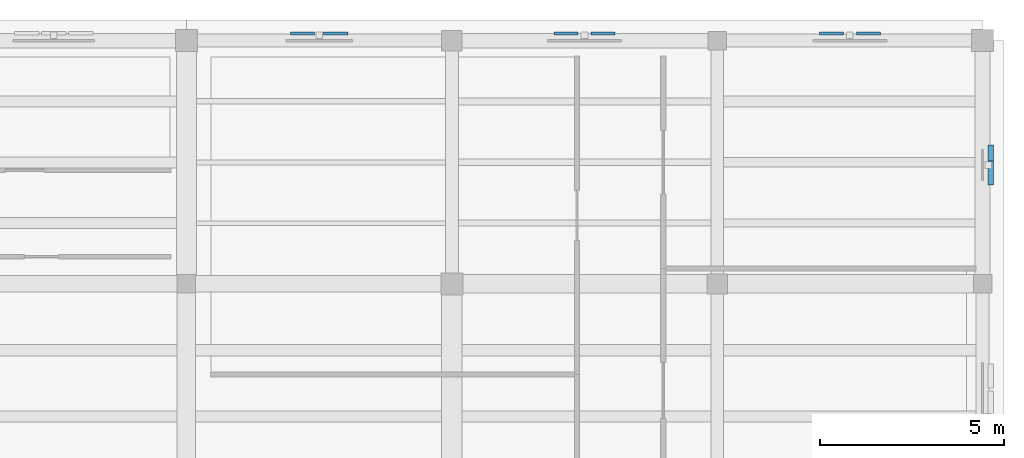
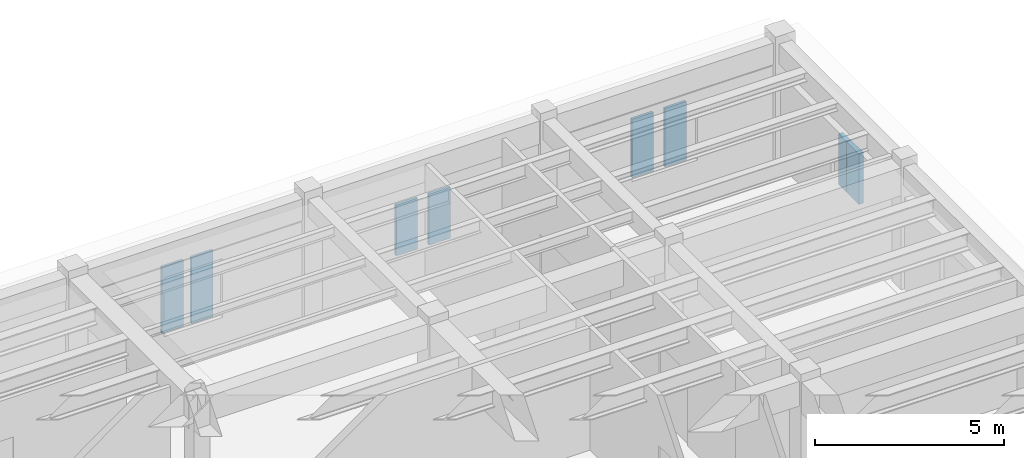
# One storey, part 10 of 27: 8 plates.
"""IFC4 building model written with IfcOpenShell, lengths in metres."""

from ifc_helpers import new_model, si_unit, direction, frame, origin, origin_2d, place, context, subcontext, project, spatial, rectangle, extrude, material, layer, layer_set, type_object, element, save


model = new_model("IFC4")

# Units and contexts
model_context = context("Model", 3, precision=1e-05, world=origin(), true_north=direction((0.0, 1.0)))
body_context = subcontext(model_context, "Body", "Model", "MODEL_VIEW")
ifc_project = project(units=[si_unit("LENGTHUNIT", "METRE"), si_unit("AREAUNIT", "SQUARE_METRE"), si_unit("VOLUMEUNIT", "CUBIC_METRE"), si_unit("PLANEANGLEUNIT", "RADIAN"), si_unit("MASSUNIT", "GRAM", prefix="KILO")], contexts=[model_context])

# Site, building, storey
site_placement = place(None, origin())
site = spatial("IfcSite", under=ifc_project, at=site_placement, CompositionType="ELEMENT")
building_placement = place(site_placement, origin())
building = spatial("IfcBuilding", under=site, at=building_placement, Name="Mithqara Police Headquarters", CompositionType="ELEMENT")
storey_placement = place(building_placement, frame((0.0, 0.0, 18.0)))
storey = spatial("IfcBuildingStorey", under=building, at=storey_placement, Name="L04", CompositionType="ELEMENT", Elevation=18.0)

# Plates
ifc_material = material(Name="Limestone ashlar masonry, 45 MPa", Category="masonry")
ifc_layer_1 = layer(ifc_material, 0.139892578125, Name="Limestone ashlar masonry, 45 MPa")
ifc_layer_set_1 = layer_set([ifc_layer_1], Name="Limestone ashlar masonry, 45 MPa")
plate_type_1 = type_object("IfcPlateType", Name="STONE SCREEN 140", PredefinedType="USERDEFINED", material=ifc_layer_set_1)
for number, where, z_axis, x_axis, name in (
    (1, (166.419921875, 110.41259765625, 0.830078125), (0.0, 0.0, 1.0), (0.0, 1.0, 0.0), "L04 Pierced Limestone Vertical-Slit Panel 175"),
    (2, (166.419921875, 110.83740234375, 0.830078125), (0.0, 0.0, 1.0), (0.0, 1.0, 0.0), "L04 Pierced Limestone Vertical-Slit Panel 176"),
):
    element("IfcPlate", number, at=place(storey_placement, frame(where, z_axis=z_axis, x_axis=x_axis)), inside=storey, type_object=plate_type_1, Name=name, ObjectType="STONE SCREEN", PredefinedType="USERDEFINED", context=body_context, shape_type="SweptSolid", body=[
        extrude(rectangle(XDim=0.656005859375, YDim=0.139892578125, at=origin_2d()), origin(), (0.0, 0.0, 1.0), 1.639892578125),
    ])
ifc_layer_2 = layer(ifc_material, 0.080078125, Name="Limestone ashlar masonry, 45 MPa")
ifc_layer_set_2 = layer_set([ifc_layer_2], Name="Limestone ashlar masonry, 45 MPa")
plate_type_2 = type_object("IfcPlateType", Name="STONE SCREEN 80", PredefinedType="USERDEFINED", material=ifc_layer_set_2)
for number, where, z_axis, x_axis, name in (
    (3, (148.64990234375, 114.18994140625, 0.830078125), (0.0, 0.0, 1.0), (1.0, 0.0, 0.0), "L04 Pierced Limestone Vertical-Slit Panel 177"),
    (4, (147.75, 114.18994140625, 0.830078125), (0.0, 0.0, 1.0), (1.0, 0.0, 0.0), "L04 Pierced Limestone Vertical-Slit Panel 178"),
):
    element("IfcPlate", number, at=place(storey_placement, frame(where, z_axis=z_axis, x_axis=x_axis)), inside=storey, type_object=plate_type_2, Name=name, ObjectType="STONE SCREEN", PredefinedType="USERDEFINED", context=body_context, shape_type="SweptSolid", body=[
        extrude(rectangle(XDim=0.656005859375, YDim=0.080078125, at=origin_2d()), origin(), (0.0, 0.0, 1.0), 2.139892578125),
    ])
for number, where, z_axis, x_axis, name in (
    (5, (155.89990234375, 114.18994140625, 0.830078125), (0.0, 0.0, 1.0), (1.0, 0.0, 0.0), "L04 Pierced Limestone Vertical-Slit Panel 179"),
    (6, (154.89990234375, 114.18994140625, 0.830078125), (0.0, 0.0, 1.0), (1.0, 0.0, 0.0), "L04 Pierced Limestone Vertical-Slit Panel 180"),
):
    element("IfcPlate", number, at=place(storey_placement, frame(where, z_axis=z_axis, x_axis=x_axis)), inside=storey, type_object=plate_type_2, Name=name, ObjectType="STONE SCREEN", PredefinedType="USERDEFINED", context=body_context, shape_type="SweptSolid", body=[
        extrude(rectangle(XDim=0.656005859375, YDim=0.080078125, at=origin_2d()), origin(), (0.0, 0.0, 1.0), 1.639892578125),
    ])
for number, where, z_axis, x_axis, name in (
    (7, (163.10009765625, 114.18994140625, 0.830078125), (0.0, 0.0, 1.0), (1.0, 0.0, 0.0), "L04 Pierced Limestone Vertical-Slit Panel 181"),
    (8, (162.10009765625, 114.18994140625, 0.830078125), (0.0, 0.0, 1.0), (1.0, 0.0, 0.0), "L04 Pierced Limestone Vertical-Slit Panel 182"),
):
    element("IfcPlate", number, at=place(storey_placement, frame(where, z_axis=z_axis, x_axis=x_axis)), inside=storey, type_object=plate_type_2, Name=name, ObjectType="STONE SCREEN", PredefinedType="USERDEFINED", context=body_context, shape_type="SweptSolid", body=[
        extrude(rectangle(XDim=0.656005859375, YDim=0.080078125, at=origin_2d()), origin(), (0.0, 0.0, 1.0), 1.889892578125),
    ])

save(model, "model.ifc")
